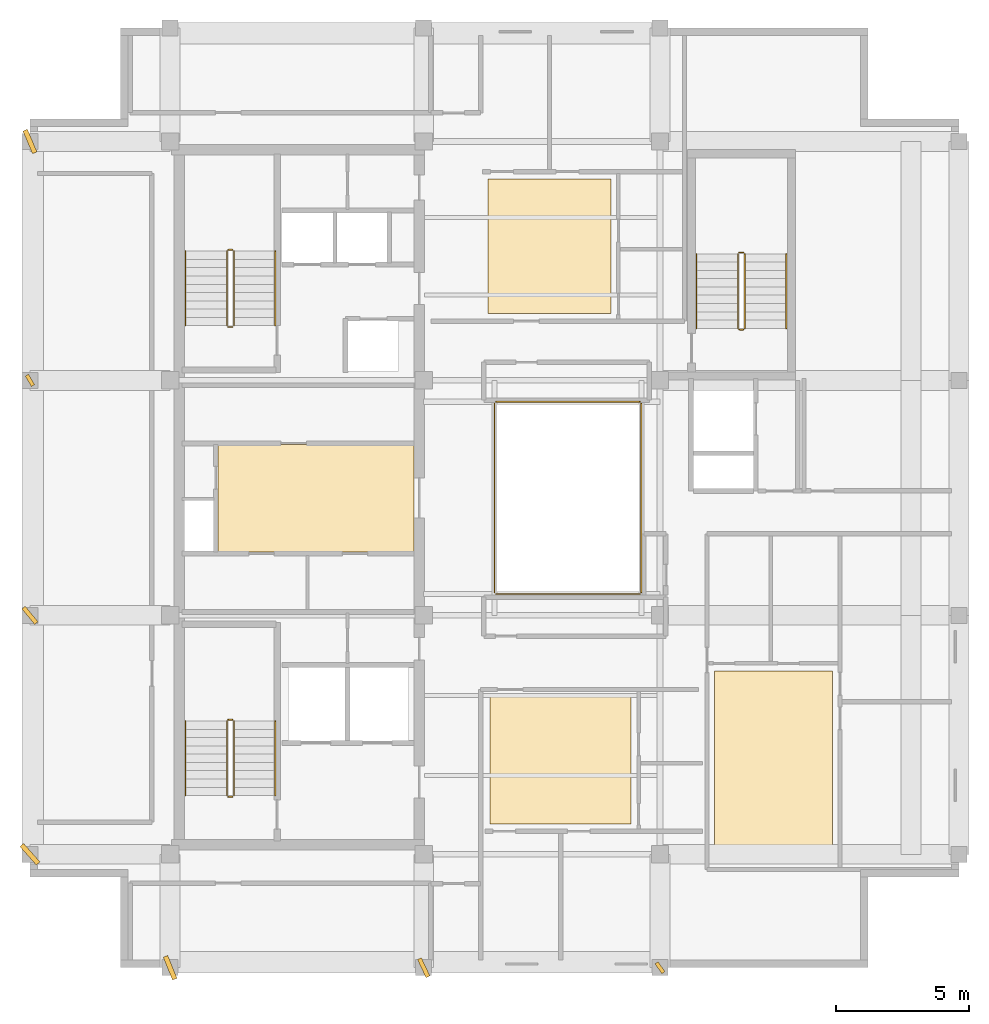
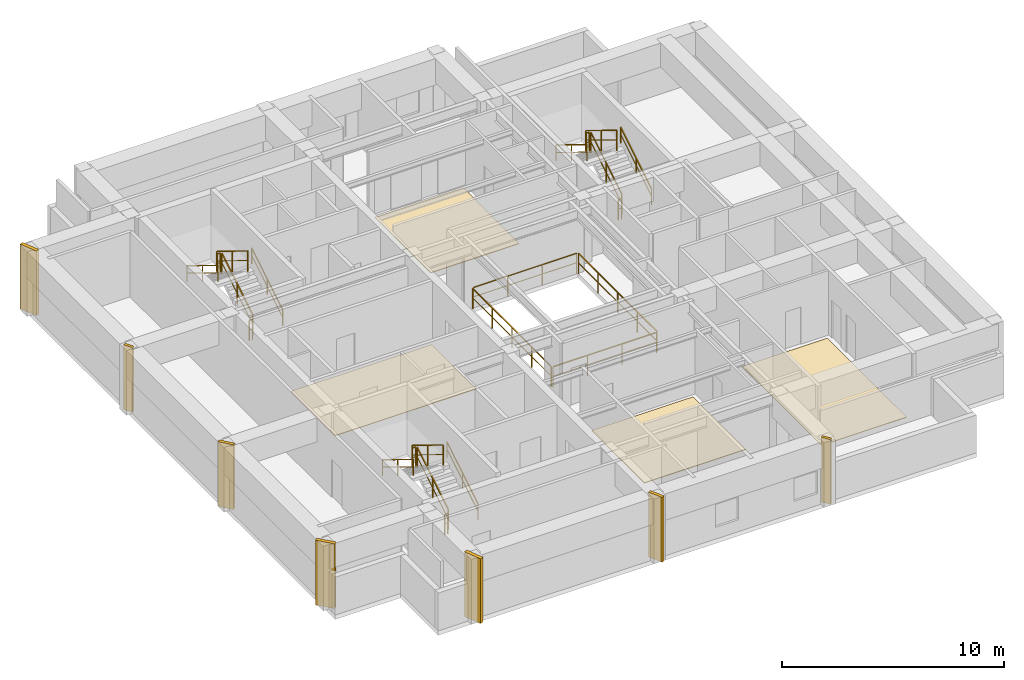
# One storey, part 6 of 6: 22 railings, 7 shading devices, 4 coverings.
"""IFC4 building model written with IfcOpenShell, lengths in metres."""

from ifc_helpers import new_model, si_unit, direction, frame, origin, origin_2d, place, context, subcontext, project, spatial, polyline, rectangle, outline, extrude, material, layer, layer_set, type_object, element, save


model = new_model("IFC4")

# Units and contexts
model_context = context("Model", 3, precision=1e-05, world=origin(), true_north=direction((0.0, 1.0)))
body_context = subcontext(model_context, "Body", "Model", "MODEL_VIEW")
ifc_project = project(units=[si_unit("LENGTHUNIT", "METRE"), si_unit("AREAUNIT", "SQUARE_METRE"), si_unit("VOLUMEUNIT", "CUBIC_METRE"), si_unit("PLANEANGLEUNIT", "RADIAN"), si_unit("MASSUNIT", "GRAM", prefix="KILO")], contexts=[model_context])

# Site, building, storey
site_placement = place(None, origin())
site = spatial("IfcSite", under=ifc_project, at=site_placement, CompositionType="ELEMENT")
building_placement = place(site_placement, origin())
building = spatial("IfcBuilding", under=site, at=building_placement, Name="Kundavana Baori Tower", CompositionType="ELEMENT")
storey_placement = place(building_placement, frame((0.0, 0.0, 331.5)))
storey = spatial("IfcBuildingStorey", under=building, at=storey_placement, Name="L82", CompositionType="ELEMENT", Elevation=331.5)

# Coverings
ifc_material_1 = material(Name="Honed Kota Stone and Terrazzo Flooring", Category="masonry")
ifc_layer_1 = layer(ifc_material_1, 0.0400390625, Name="COV-FLR-TERR-40")
ifc_layer_set_1 = layer_set([ifc_layer_1], Name="Honed Kota Stone and Terrazzo Flooring")
covering_type_1 = type_object("IfcCoveringType", Name="COV-FLR-TERR-40", PredefinedType="FLOORING", material=ifc_layer_set_1)
covering_1_placement = place(storey_placement, origin())
element("IfcCovering", 1, at=covering_1_placement, inside=storey, type_object=covering_type_1, Name="L82 Room Finished Stone Flooring 1", PredefinedType="FLOORING", context=body_context, shape_type="SweptSolid", body=[
    extrude(outline(polyline([(27.43994140625, 16.389892578125), (32.719970703125, 16.389892578125), (32.719970703125, 21.139892578125), (27.43994140625, 21.139892578125), (27.43994140625, 16.389892578125)])), origin(), (0.0, 0.0, 1.0), 0.0400390625),
])
covering_2_placement = place(storey_placement, origin())
element("IfcCovering", 2, at=covering_2_placement, inside=storey, type_object=covering_type_1, Name="L82 Room Finished Stone Flooring 2", PredefinedType="FLOORING", context=body_context, shape_type="SweptSolid", body=[
    extrude(outline(polyline([(27.360107421875, 35.5), (31.9599609375, 35.5), (31.9599609375, 40.5400390625), (27.360107421875, 40.5400390625), (27.360107421875, 35.5)])), origin(), (0.0, 0.0, 1.0), 0.0400390625),
])
ifc_material_2 = material(Name="Honed Kota Stone and Terrazzo Flooring", Category="masonry")
ifc_layer_2 = layer(ifc_material_2, 0.030029296875, Name="COV-INT-FLR")
ifc_layer_set_2 = layer_set([ifc_layer_2], Name="Honed Kota Stone and Terrazzo Flooring")
covering_type_2 = type_object("IfcCoveringType", Name="COV-INT-FLR", PredefinedType="FLOORING", material=ifc_layer_set_2)
covering_3_placement = place(storey_placement, origin())
element("IfcCovering", 3, at=covering_3_placement, inside=storey, type_object=covering_type_2, Name="L82 Room Finished Stone Flooring 3", PredefinedType="FLOORING", context=body_context, shape_type="SweptSolid", body=[
    extrude(outline(polyline([(35.840087890625, 14.9599609375), (40.260009765625, 14.9599609375), (40.260009765625, 22.1201171875), (35.840087890625, 22.1201171875), (35.840087890625, 14.9599609375)])), origin(), (0.0, 0.0, 1.0), 0.030029296875),
])
covering_4_placement = place(storey_placement, origin())
element("IfcCovering", 4, at=covering_4_placement, inside=storey, type_object=covering_type_2, Name="L82 Core Lift Lobby Kota Stone Flooring", PredefinedType="FLOORING", context=body_context, shape_type="SweptSolid", body=[
    extrude(outline(polyline([(17.25, 26.580078125), (24.580078125, 26.580078125), (24.580078125, 30.60009765625), (17.25, 30.60009765625), (17.25, 26.580078125)])), origin(), (0.0, 0.0, 1.0), 0.030029296875),
])

# Railings
ifc_material_3 = material(Name="Architectural Patinated Bronze Metalwork")
railing_type_1 = type_object("IfcRailingType", Name="RL-GRD-1150", PredefinedType="GUARDRAIL", material=ifc_material_3)
railing_1_placement = place(storey_placement, frame((17.840087890625, 17.449951171875, 0.18994140625)))
element("IfcRailing", 5, at=railing_1_placement, inside=storey, type_object=railing_type_1, Name="L82 ST1 stair guard 1", PredefinedType="GUARDRAIL", context=body_context, shape_type="SweptSolid", body=[
    extrude(rectangle(XDim=0.048095703125, YDim=0.048095703125, at=origin_2d()), frame((0.0, 0.0, 1.1259765625), z_axis=(0.0, 0.852609830418, 0.522548061975), x_axis=(-1.0, 0.0, 0.0)), (0.0, 0.0, 1.0), 3.2724609375),
    extrude(rectangle(XDim=0.03125, YDim=0.03125, at=origin_2d()), frame((0.0, 0.0, 0.597900390625), z_axis=(0.0, 0.852609830418, 0.522548061975), x_axis=(-1.0, 0.0, 0.0)), (0.0, 0.0, 1.0), 3.2724609375),
    extrude(rectangle(XDim=0.0419921875, YDim=0.0419921875, at=origin_2d()), origin(), (0.0, 0.0, 1.0), 1.101806640625),
    extrude(rectangle(XDim=0.0419921875, YDim=0.0419921875, at=origin_2d()), frame((0.0, 1.39501953125, 0.85498046875)), (0.0, 0.0, 1.0), 1.101806640625),
    extrude(rectangle(XDim=0.0419921875, YDim=0.0419921875, at=origin_2d()), frame((0.0, 2.7900390625, 1.7099609375)), (0.0, 0.0, 1.0), 1.101806640625),
])
railing_2_placement = place(storey_placement, frame((17.7900390625, 20.2900390625, 1.89990234375)))
element("IfcRailing", 6, at=railing_2_placement, inside=storey, type_object=railing_type_1, Name="L82 ST1 stair guard 2", PredefinedType="GUARDRAIL", context=body_context, shape_type="SweptSolid", body=[
    extrude(rectangle(XDim=0.048095703125, YDim=0.048095703125, at=origin_2d()), frame((0.0, 0.0, 1.1259765625), z_axis=(-1.0, 0.0, 0.0), x_axis=(0.0, -1.0, 0.0)), (0.0, 0.0, 1.0), 0.16015625),
    extrude(rectangle(XDim=0.03125, YDim=0.03125, at=origin_2d()), frame((0.0, 0.0, 0.597900390625), z_axis=(-1.0, 0.0, 0.0), x_axis=(0.0, -1.0, 0.0)), (0.0, 0.0, 1.0), 0.16015625),
    extrude(rectangle(XDim=0.0419921875, YDim=0.0419921875, at=origin_2d()), origin(), (0.0, 0.0, 1.0), 1.101806640625),
    extrude(rectangle(XDim=0.0419921875, YDim=0.0419921875, at=origin_2d()), frame((-0.16015625, 0.0, 0.0)), (0.0, 0.0, 1.0), 1.101806640625),
])
railing_3_placement = place(storey_placement, frame((17.580078125, 20.239990234375, 2.090087890625)))
element("IfcRailing", 7, at=railing_3_placement, inside=storey, type_object=railing_type_1, Name="L82 ST1 stair guard 3", PredefinedType="GUARDRAIL", context=body_context, shape_type="SweptSolid", body=[
    extrude(rectangle(XDim=0.048095703125, YDim=0.048095703125, at=origin_2d()), frame((0.0, 0.0, 1.1259765625), z_axis=(0.0, -0.852609830418, 0.522548061975), x_axis=(1.0, 0.0, 0.0)), (0.0, 0.0, 1.0), 3.2724609375),
    extrude(rectangle(XDim=0.03125, YDim=0.03125, at=origin_2d()), frame((0.0, 0.0, 0.597900390625), z_axis=(0.0, -0.852609830418, 0.522548061975), x_axis=(1.0, 0.0, 0.0)), (0.0, 0.0, 1.0), 3.2724609375),
    extrude(rectangle(XDim=0.0419921875, YDim=0.0419921875, at=origin_2d()), origin(), (0.0, 0.0, 1.0), 1.101806640625),
    extrude(rectangle(XDim=0.0419921875, YDim=0.0419921875, at=origin_2d()), frame((0.0, -1.39501953125, 0.85498046875)), (0.0, 0.0, 1.0), 1.101806640625),
    extrude(rectangle(XDim=0.0419921875, YDim=0.0419921875, at=origin_2d()), frame((0.0, -2.7900390625, 1.7099609375)), (0.0, 0.0, 1.0), 1.101806640625),
])
railing_4_placement = place(storey_placement, frame((17.7900390625, 17.39990234375, 0.0)))
element("IfcRailing", 8, at=railing_4_placement, inside=storey, type_object=railing_type_1, Name="L82 ST1 stair guard 4", PredefinedType="GUARDRAIL", context=body_context, shape_type="SweptSolid", body=[
    extrude(rectangle(XDim=0.048095703125, YDim=0.048095703125, at=origin_2d()), frame((0.0, 0.0, 1.1259765625), z_axis=(-1.0, 0.0, 0.0), x_axis=(0.0, -1.0, 0.0)), (0.0, 0.0, 1.0), 0.16015625),
    extrude(rectangle(XDim=0.03125, YDim=0.03125, at=origin_2d()), frame((0.0, 0.0, 0.597900390625), z_axis=(-1.0, 0.0, 0.0), x_axis=(0.0, -1.0, 0.0)), (0.0, 0.0, 1.0), 0.16015625),
    extrude(rectangle(XDim=0.0419921875, YDim=0.0419921875, at=origin_2d()), origin(), (0.0, 0.0, 1.0), 1.101806640625),
    extrude(rectangle(XDim=0.0419921875, YDim=0.0419921875, at=origin_2d()), frame((-0.16015625, 0.0, 0.0)), (0.0, 0.0, 1.0), 1.101806640625),
])
railing_5_placement = place(storey_placement, frame((17.840087890625, 35.050048828125, 0.18994140625)))
element("IfcRailing", 9, at=railing_5_placement, inside=storey, type_object=railing_type_1, Name="L82 ST2 stair guard 1", PredefinedType="GUARDRAIL", context=body_context, shape_type="SweptSolid", body=[
    extrude(rectangle(XDim=0.048095703125, YDim=0.048095703125, at=origin_2d()), frame((0.0, 0.0, 1.1259765625), z_axis=(0.0, 0.852609830418, 0.522548061975), x_axis=(-1.0, 0.0, 0.0)), (0.0, 0.0, 1.0), 3.2724609375),
    extrude(rectangle(XDim=0.03125, YDim=0.03125, at=origin_2d()), frame((0.0, 0.0, 0.597900390625), z_axis=(0.0, 0.852609830418, 0.522548061975), x_axis=(-1.0, 0.0, 0.0)), (0.0, 0.0, 1.0), 3.2724609375),
    extrude(rectangle(XDim=0.0419921875, YDim=0.0419921875, at=origin_2d()), origin(), (0.0, 0.0, 1.0), 1.101806640625),
    extrude(rectangle(XDim=0.0419921875, YDim=0.0419921875, at=origin_2d()), frame((0.0, 1.39501953125, 0.85498046875)), (0.0, 0.0, 1.0), 1.101806640625),
    extrude(rectangle(XDim=0.0419921875, YDim=0.0419921875, at=origin_2d()), frame((0.0, 2.7900390625, 1.7099609375)), (0.0, 0.0, 1.0), 1.101806640625),
])
railing_6_placement = place(storey_placement, frame((17.7900390625, 37.889892578125, 1.89990234375)))
element("IfcRailing", 10, at=railing_6_placement, inside=storey, type_object=railing_type_1, Name="L82 ST2 stair guard 2", PredefinedType="GUARDRAIL", context=body_context, shape_type="SweptSolid", body=[
    extrude(rectangle(XDim=0.048095703125, YDim=0.048095703125, at=origin_2d()), frame((0.0, 0.0, 1.1259765625), z_axis=(-1.0, 0.0, 0.0), x_axis=(0.0, -1.0, 0.0)), (0.0, 0.0, 1.0), 0.16015625),
    extrude(rectangle(XDim=0.03125, YDim=0.03125, at=origin_2d()), frame((0.0, 0.0, 0.597900390625), z_axis=(-1.0, 0.0, 0.0), x_axis=(0.0, -1.0, 0.0)), (0.0, 0.0, 1.0), 0.16015625),
    extrude(rectangle(XDim=0.0419921875, YDim=0.0419921875, at=origin_2d()), origin(), (0.0, 0.0, 1.0), 1.101806640625),
    extrude(rectangle(XDim=0.0419921875, YDim=0.0419921875, at=origin_2d()), frame((-0.16015625, 0.0, 0.0)), (0.0, 0.0, 1.0), 1.101806640625),
])
railing_7_placement = place(storey_placement, frame((17.580078125, 37.840087890625, 2.090087890625)))
element("IfcRailing", 11, at=railing_7_placement, inside=storey, type_object=railing_type_1, Name="L82 ST2 stair guard 3", PredefinedType="GUARDRAIL", context=body_context, shape_type="SweptSolid", body=[
    extrude(rectangle(XDim=0.048095703125, YDim=0.048095703125, at=origin_2d()), frame((0.0, 0.0, 1.1259765625), z_axis=(0.0, -0.852609830418, 0.522548061975), x_axis=(1.0, 0.0, 0.0)), (0.0, 0.0, 1.0), 3.2724609375),
    extrude(rectangle(XDim=0.03125, YDim=0.03125, at=origin_2d()), frame((0.0, 0.0, 0.597900390625), z_axis=(0.0, -0.852609830418, 0.522548061975), x_axis=(1.0, 0.0, 0.0)), (0.0, 0.0, 1.0), 3.2724609375),
    extrude(rectangle(XDim=0.0419921875, YDim=0.0419921875, at=origin_2d()), origin(), (0.0, 0.0, 1.0), 1.101806640625),
    extrude(rectangle(XDim=0.0419921875, YDim=0.0419921875, at=origin_2d()), frame((0.0, -1.39501953125, 0.85498046875)), (0.0, 0.0, 1.0), 1.101806640625),
    extrude(rectangle(XDim=0.0419921875, YDim=0.0419921875, at=origin_2d()), frame((0.0, -2.7900390625, 1.7099609375)), (0.0, 0.0, 1.0), 1.101806640625),
])
railing_8_placement = place(storey_placement, frame((17.7900390625, 35.0, 0.0)))
element("IfcRailing", 12, at=railing_8_placement, inside=storey, type_object=railing_type_1, Name="L82 ST2 stair guard 4", PredefinedType="GUARDRAIL", context=body_context, shape_type="SweptSolid", body=[
    extrude(rectangle(XDim=0.048095703125, YDim=0.048095703125, at=origin_2d()), frame((0.0, 0.0, 1.1259765625), z_axis=(-1.0, 0.0, 0.0), x_axis=(0.0, -1.0, 0.0)), (0.0, 0.0, 1.0), 0.16015625),
    extrude(rectangle(XDim=0.03125, YDim=0.03125, at=origin_2d()), frame((0.0, 0.0, 0.597900390625), z_axis=(-1.0, 0.0, 0.0), x_axis=(0.0, -1.0, 0.0)), (0.0, 0.0, 1.0), 0.16015625),
    extrude(rectangle(XDim=0.0419921875, YDim=0.0419921875, at=origin_2d()), origin(), (0.0, 0.0, 1.0), 1.101806640625),
    extrude(rectangle(XDim=0.0419921875, YDim=0.0419921875, at=origin_2d()), frame((-0.16015625, 0.0, 0.0)), (0.0, 0.0, 1.0), 1.101806640625),
])
railing_9_placement = place(storey_placement, frame((36.97998046875, 34.949951171875, 0.18994140625)))
element("IfcRailing", 13, at=railing_9_placement, inside=storey, type_object=railing_type_1, Name="L82 ST3 stair guard 1", PredefinedType="GUARDRAIL", context=body_context, shape_type="SweptSolid", body=[
    extrude(rectangle(XDim=0.048095703125, YDim=0.048095703125, at=origin_2d()), frame((0.0, 0.0, 1.1259765625), z_axis=(0.0, 0.852609830418, 0.522548061975), x_axis=(-1.0, 0.0, 0.0)), (0.0, 0.0, 1.0), 3.2724609375),
    extrude(rectangle(XDim=0.03125, YDim=0.03125, at=origin_2d()), frame((0.0, 0.0, 0.597900390625), z_axis=(0.0, 0.852609830418, 0.522548061975), x_axis=(-1.0, 0.0, 0.0)), (0.0, 0.0, 1.0), 3.2724609375),
    extrude(rectangle(XDim=0.0419921875, YDim=0.0419921875, at=origin_2d()), origin(), (0.0, 0.0, 1.0), 1.101806640625),
    extrude(rectangle(XDim=0.0419921875, YDim=0.0419921875, at=origin_2d()), frame((0.0, 1.39501953125, 0.85498046875)), (0.0, 0.0, 1.0), 1.101806640625),
    extrude(rectangle(XDim=0.0419921875, YDim=0.0419921875, at=origin_2d()), frame((0.0, 2.7900390625, 1.7099609375)), (0.0, 0.0, 1.0), 1.101806640625),
])
railing_10_placement = place(storey_placement, frame((36.929931640625, 37.7900390625, 1.89990234375)))
element("IfcRailing", 14, at=railing_10_placement, inside=storey, type_object=railing_type_1, Name="L82 ST3 stair guard 2", PredefinedType="GUARDRAIL", context=body_context, shape_type="SweptSolid", body=[
    extrude(rectangle(XDim=0.048095703125, YDim=0.048095703125, at=origin_2d()), frame((0.0, 0.0, 1.1259765625), z_axis=(-1.0, 0.0, 0.0), x_axis=(0.0, -1.0, 0.0)), (0.0, 0.0, 1.0), 0.159912109375),
    extrude(rectangle(XDim=0.03125, YDim=0.03125, at=origin_2d()), frame((0.0, 0.0, 0.597900390625), z_axis=(-1.0, 0.0, 0.0), x_axis=(0.0, -1.0, 0.0)), (0.0, 0.0, 1.0), 0.159912109375),
    extrude(rectangle(XDim=0.0419921875, YDim=0.0419921875, at=origin_2d()), origin(), (0.0, 0.0, 1.0), 1.101806640625),
    extrude(rectangle(XDim=0.0419921875, YDim=0.0419921875, at=origin_2d()), frame((-0.159912109375, 0.0, 0.0)), (0.0, 0.0, 1.0), 1.101806640625),
])
railing_11_placement = place(storey_placement, frame((36.719970703125, 37.739990234375, 2.090087890625)))
element("IfcRailing", 15, at=railing_11_placement, inside=storey, type_object=railing_type_1, Name="L82 ST3 stair guard 3", PredefinedType="GUARDRAIL", context=body_context, shape_type="SweptSolid", body=[
    extrude(rectangle(XDim=0.048095703125, YDim=0.048095703125, at=origin_2d()), frame((0.0, 0.0, 1.1259765625), z_axis=(0.0, -0.852609830418, 0.522548061975), x_axis=(1.0, 0.0, 0.0)), (0.0, 0.0, 1.0), 3.2724609375),
    extrude(rectangle(XDim=0.03125, YDim=0.03125, at=origin_2d()), frame((0.0, 0.0, 0.597900390625), z_axis=(0.0, -0.852609830418, 0.522548061975), x_axis=(1.0, 0.0, 0.0)), (0.0, 0.0, 1.0), 3.2724609375),
    extrude(rectangle(XDim=0.0419921875, YDim=0.0419921875, at=origin_2d()), origin(), (0.0, 0.0, 1.0), 1.101806640625),
    extrude(rectangle(XDim=0.0419921875, YDim=0.0419921875, at=origin_2d()), frame((0.0, -1.39501953125, 0.85498046875)), (0.0, 0.0, 1.0), 1.101806640625),
    extrude(rectangle(XDim=0.0419921875, YDim=0.0419921875, at=origin_2d()), frame((0.0, -2.7900390625, 1.7099609375)), (0.0, 0.0, 1.0), 1.101806640625),
])
railing_12_placement = place(storey_placement, frame((36.929931640625, 34.89990234375, 0.0)))
element("IfcRailing", 16, at=railing_12_placement, inside=storey, type_object=railing_type_1, Name="L82 ST3 stair guard 4", PredefinedType="GUARDRAIL", context=body_context, shape_type="SweptSolid", body=[
    extrude(rectangle(XDim=0.048095703125, YDim=0.048095703125, at=origin_2d()), frame((0.0, 0.0, 1.1259765625), z_axis=(-1.0, 0.0, 0.0), x_axis=(0.0, -1.0, 0.0)), (0.0, 0.0, 1.0), 0.159912109375),
    extrude(rectangle(XDim=0.03125, YDim=0.03125, at=origin_2d()), frame((0.0, 0.0, 0.597900390625), z_axis=(-1.0, 0.0, 0.0), x_axis=(0.0, -1.0, 0.0)), (0.0, 0.0, 1.0), 0.159912109375),
    extrude(rectangle(XDim=0.0419921875, YDim=0.0419921875, at=origin_2d()), origin(), (0.0, 0.0, 1.0), 1.101806640625),
    extrude(rectangle(XDim=0.0419921875, YDim=0.0419921875, at=origin_2d()), frame((-0.159912109375, 0.0, 0.0)), (0.0, 0.0, 1.0), 1.101806640625),
])
railing_13_placement = place(storey_placement, frame((27.659912109375, 25.0, 0.0)))
element("IfcRailing", 17, at=railing_13_placement, inside=storey, type_object=railing_type_1, Name="L82 Atrium Void Perimeter Guardrail S", PredefinedType="GUARDRAIL", context=body_context, shape_type="SweptSolid", body=[
    extrude(rectangle(XDim=0.048095703125, YDim=0.048095703125, at=origin_2d()), frame((0.0, 0.0, 1.1259765625), z_axis=(1.0, 0.0, 0.0), x_axis=(0.0, 1.0, 0.0)), (0.0, 0.0, 1.0), 5.380126953125),
    extrude(rectangle(XDim=0.03125, YDim=0.03125, at=origin_2d()), frame((0.0, 0.0, 0.597900390625), z_axis=(1.0, 0.0, 0.0), x_axis=(0.0, 1.0, 0.0)), (0.0, 0.0, 1.0), 5.380126953125),
    extrude(rectangle(XDim=0.0419921875, YDim=0.0419921875, at=origin_2d()), origin(), (0.0, 0.0, 1.0), 1.101806640625),
    extrude(rectangle(XDim=0.0419921875, YDim=0.0419921875, at=origin_2d()), frame((1.79345703125, 0.0, 0.0)), (0.0, 0.0, 1.0), 1.101806640625),
    extrude(rectangle(XDim=0.0419921875, YDim=0.0419921875, at=origin_2d()), frame((3.586669921875, 0.0, 0.0)), (0.0, 0.0, 1.0), 1.101806640625),
    extrude(rectangle(XDim=0.0419921875, YDim=0.0419921875, at=origin_2d()), frame((5.380126953125, 0.0, 0.0)), (0.0, 0.0, 1.0), 1.101806640625),
])
railing_14_placement = place(storey_placement, frame((33.10009765625, 25.06005859375, 0.0)))
element("IfcRailing", 18, at=railing_14_placement, inside=storey, type_object=railing_type_1, Name="L82 Atrium Void Perimeter Guardrail E", PredefinedType="GUARDRAIL", context=body_context, shape_type="SweptSolid", body=[
    extrude(rectangle(XDim=0.048095703125, YDim=0.048095703125, at=origin_2d()), frame((0.0, 0.0, 1.1259765625), z_axis=(0.0, 1.0, 0.0), x_axis=(-1.0, 0.0, 0.0)), (0.0, 0.0, 1.0), 7.079833984375),
    extrude(rectangle(XDim=0.03125, YDim=0.03125, at=origin_2d()), frame((0.0, 0.0, 0.597900390625), z_axis=(0.0, 1.0, 0.0), x_axis=(-1.0, 0.0, 0.0)), (0.0, 0.0, 1.0), 7.079833984375),
    extrude(rectangle(XDim=0.0419921875, YDim=0.0419921875, at=origin_2d()), origin(), (0.0, 0.0, 1.0), 1.101806640625),
    extrude(rectangle(XDim=0.0419921875, YDim=0.0419921875, at=origin_2d()), frame((0.0, 1.77001953125, 0.0)), (0.0, 0.0, 1.0), 1.101806640625),
    extrude(rectangle(XDim=0.0419921875, YDim=0.0419921875, at=origin_2d()), frame((0.0, 3.5400390625, 0.0)), (0.0, 0.0, 1.0), 1.101806640625),
    extrude(rectangle(XDim=0.0419921875, YDim=0.0419921875, at=origin_2d()), frame((0.0, 5.309814453125, 0.0)), (0.0, 0.0, 1.0), 1.101806640625),
    extrude(rectangle(XDim=0.0419921875, YDim=0.0419921875, at=origin_2d()), frame((0.0, 7.079833984375, 0.0)), (0.0, 0.0, 1.0), 1.101806640625),
])
railing_15_placement = place(storey_placement, frame((33.0400390625, 32.199951171875, 0.0)))
element("IfcRailing", 19, at=railing_15_placement, inside=storey, type_object=railing_type_1, Name="L82 Atrium Void Perimeter Guardrail N", PredefinedType="GUARDRAIL", context=body_context, shape_type="SweptSolid", body=[
    extrude(rectangle(XDim=0.048095703125, YDim=0.048095703125, at=origin_2d()), frame((0.0, 0.0, 1.1259765625), z_axis=(-1.0, 0.0, 0.0), x_axis=(0.0, -1.0, 0.0)), (0.0, 0.0, 1.0), 5.380126953125),
    extrude(rectangle(XDim=0.03125, YDim=0.03125, at=origin_2d()), frame((0.0, 0.0, 0.597900390625), z_axis=(-1.0, 0.0, 0.0), x_axis=(0.0, -1.0, 0.0)), (0.0, 0.0, 1.0), 5.380126953125),
    extrude(rectangle(XDim=0.0419921875, YDim=0.0419921875, at=origin_2d()), origin(), (0.0, 0.0, 1.0), 1.101806640625),
    extrude(rectangle(XDim=0.0419921875, YDim=0.0419921875, at=origin_2d()), frame((-1.79345703125, 0.0, 0.0)), (0.0, 0.0, 1.0), 1.101806640625),
    extrude(rectangle(XDim=0.0419921875, YDim=0.0419921875, at=origin_2d()), frame((-3.586669921875, 0.0, 0.0)), (0.0, 0.0, 1.0), 1.101806640625),
    extrude(rectangle(XDim=0.0419921875, YDim=0.0419921875, at=origin_2d()), frame((-5.380126953125, 0.0, 0.0)), (0.0, 0.0, 1.0), 1.101806640625),
])
railing_16_placement = place(storey_placement, frame((27.60009765625, 32.139892578125, 0.0)))
element("IfcRailing", 20, at=railing_16_placement, inside=storey, type_object=railing_type_1, Name="L82 Atrium Void Perimeter Guardrail W", PredefinedType="GUARDRAIL", context=body_context, shape_type="SweptSolid", body=[
    extrude(rectangle(XDim=0.048095703125, YDim=0.048095703125, at=origin_2d()), frame((0.0, 0.0, 1.1259765625), z_axis=(0.0, -1.0, 0.0), x_axis=(1.0, 0.0, 0.0)), (0.0, 0.0, 1.0), 7.079833984375),
    extrude(rectangle(XDim=0.03125, YDim=0.03125, at=origin_2d()), frame((0.0, 0.0, 0.597900390625), z_axis=(0.0, -1.0, 0.0), x_axis=(1.0, 0.0, 0.0)), (0.0, 0.0, 1.0), 7.079833984375),
    extrude(rectangle(XDim=0.0419921875, YDim=0.0419921875, at=origin_2d()), origin(), (0.0, 0.0, 1.0), 1.101806640625),
    extrude(rectangle(XDim=0.0419921875, YDim=0.0419921875, at=origin_2d()), frame((0.0, -1.77001953125, 0.0)), (0.0, 0.0, 1.0), 1.101806640625),
    extrude(rectangle(XDim=0.0419921875, YDim=0.0419921875, at=origin_2d()), frame((0.0, -3.5400390625, 0.0)), (0.0, 0.0, 1.0), 1.101806640625),
    extrude(rectangle(XDim=0.0419921875, YDim=0.0419921875, at=origin_2d()), frame((0.0, -5.309814453125, 0.0)), (0.0, 0.0, 1.0), 1.101806640625),
    extrude(rectangle(XDim=0.0419921875, YDim=0.0419921875, at=origin_2d()), frame((0.0, -7.079833984375, 0.0)), (0.0, 0.0, 1.0), 1.101806640625),
])
ifc_material_4 = material(Name="Architectural Patinated Bronze Metalwork")
railing_type_2 = type_object("IfcRailingType", Name="RL-HND-920", PredefinedType="HANDRAIL", material=ifc_material_4)
railing_17_placement = place(storey_placement, frame((19.389892578125, 17.449951171875, 0.18994140625)))
element("IfcRailing", 21, at=railing_17_placement, inside=storey, type_object=railing_type_2, Name="L82 ST1 stair handrail 1", PredefinedType="HANDRAIL", context=body_context, shape_type="SweptSolid", body=[
    extrude(rectangle(XDim=0.048095703125, YDim=0.048095703125, at=origin_2d()), frame((0.0, 0.0, 0.8759765625), z_axis=(0.0, 0.852609830418, 0.522548061975), x_axis=(-1.0, 0.0, 0.0)), (0.0, 0.0, 1.0), 3.2724609375),
    extrude(rectangle(XDim=0.03125, YDim=0.03125, at=origin_2d()), frame((0.0, 0.0, 0.468017578125), z_axis=(0.0, 0.852609830418, 0.522548061975), x_axis=(-1.0, 0.0, 0.0)), (0.0, 0.0, 1.0), 3.2724609375),
    extrude(rectangle(XDim=0.0419921875, YDim=0.0419921875, at=origin_2d()), origin(), (0.0, 0.0, 1.0), 0.851806640625),
    extrude(rectangle(XDim=0.0419921875, YDim=0.0419921875, at=origin_2d()), frame((0.0, 1.39501953125, 0.85498046875)), (0.0, 0.0, 1.0), 0.851806640625),
    extrude(rectangle(XDim=0.0419921875, YDim=0.0419921875, at=origin_2d()), frame((0.0, 2.7900390625, 1.7099609375)), (0.0, 0.0, 1.0), 0.851806640625),
])
railing_18_placement = place(storey_placement, frame((16.030029296875, 20.239990234375, 2.090087890625)))
element("IfcRailing", 22, at=railing_18_placement, inside=storey, type_object=railing_type_2, Name="L82 ST1 stair handrail 2", PredefinedType="HANDRAIL", context=body_context, shape_type="SweptSolid", body=[
    extrude(rectangle(XDim=0.048095703125, YDim=0.048095703125, at=origin_2d()), frame((0.0, 0.0, 0.8759765625), z_axis=(0.0, -0.852609830418, 0.522548061975), x_axis=(1.0, 0.0, 0.0)), (0.0, 0.0, 1.0), 3.2724609375),
    extrude(rectangle(XDim=0.03125, YDim=0.03125, at=origin_2d()), frame((0.0, 0.0, 0.468017578125), z_axis=(0.0, -0.852609830418, 0.522548061975), x_axis=(1.0, 0.0, 0.0)), (0.0, 0.0, 1.0), 3.2724609375),
    extrude(rectangle(XDim=0.0419921875, YDim=0.0419921875, at=origin_2d()), origin(), (0.0, 0.0, 1.0), 0.851806640625),
    extrude(rectangle(XDim=0.0419921875, YDim=0.0419921875, at=origin_2d()), frame((0.0, -1.39501953125, 0.85498046875)), (0.0, 0.0, 1.0), 0.851806640625),
    extrude(rectangle(XDim=0.0419921875, YDim=0.0419921875, at=origin_2d()), frame((0.0, -2.7900390625, 1.7099609375)), (0.0, 0.0, 1.0), 0.851806640625),
])
railing_19_placement = place(storey_placement, frame((19.389892578125, 35.050048828125, 0.18994140625)))
element("IfcRailing", 23, at=railing_19_placement, inside=storey, type_object=railing_type_2, Name="L82 ST2 stair handrail 1", PredefinedType="HANDRAIL", context=body_context, shape_type="SweptSolid", body=[
    extrude(rectangle(XDim=0.048095703125, YDim=0.048095703125, at=origin_2d()), frame((0.0, 0.0, 0.8759765625), z_axis=(0.0, 0.852609830418, 0.522548061975), x_axis=(-1.0, 0.0, 0.0)), (0.0, 0.0, 1.0), 3.2724609375),
    extrude(rectangle(XDim=0.03125, YDim=0.03125, at=origin_2d()), frame((0.0, 0.0, 0.468017578125), z_axis=(0.0, 0.852609830418, 0.522548061975), x_axis=(-1.0, 0.0, 0.0)), (0.0, 0.0, 1.0), 3.2724609375),
    extrude(rectangle(XDim=0.0419921875, YDim=0.0419921875, at=origin_2d()), origin(), (0.0, 0.0, 1.0), 0.851806640625),
    extrude(rectangle(XDim=0.0419921875, YDim=0.0419921875, at=origin_2d()), frame((0.0, 1.39501953125, 0.85498046875)), (0.0, 0.0, 1.0), 0.851806640625),
    extrude(rectangle(XDim=0.0419921875, YDim=0.0419921875, at=origin_2d()), frame((0.0, 2.7900390625, 1.7099609375)), (0.0, 0.0, 1.0), 0.851806640625),
])
railing_20_placement = place(storey_placement, frame((16.030029296875, 37.840087890625, 2.090087890625)))
element("IfcRailing", 24, at=railing_20_placement, inside=storey, type_object=railing_type_2, Name="L82 ST2 stair handrail 2", PredefinedType="HANDRAIL", context=body_context, shape_type="SweptSolid", body=[
    extrude(rectangle(XDim=0.048095703125, YDim=0.048095703125, at=origin_2d()), frame((0.0, 0.0, 0.8759765625), z_axis=(0.0, -0.852609830418, 0.522548061975), x_axis=(1.0, 0.0, 0.0)), (0.0, 0.0, 1.0), 3.2724609375),
    extrude(rectangle(XDim=0.03125, YDim=0.03125, at=origin_2d()), frame((0.0, 0.0, 0.468017578125), z_axis=(0.0, -0.852609830418, 0.522548061975), x_axis=(1.0, 0.0, 0.0)), (0.0, 0.0, 1.0), 3.2724609375),
    extrude(rectangle(XDim=0.0419921875, YDim=0.0419921875, at=origin_2d()), origin(), (0.0, 0.0, 1.0), 0.851806640625),
    extrude(rectangle(XDim=0.0419921875, YDim=0.0419921875, at=origin_2d()), frame((0.0, -1.39501953125, 0.85498046875)), (0.0, 0.0, 1.0), 0.851806640625),
    extrude(rectangle(XDim=0.0419921875, YDim=0.0419921875, at=origin_2d()), frame((0.0, -2.7900390625, 1.7099609375)), (0.0, 0.0, 1.0), 0.851806640625),
])
railing_21_placement = place(storey_placement, frame((38.530029296875, 34.949951171875, 0.18994140625)))
element("IfcRailing", 25, at=railing_21_placement, inside=storey, type_object=railing_type_2, Name="L82 ST3 stair handrail 1", PredefinedType="HANDRAIL", context=body_context, shape_type="SweptSolid", body=[
    extrude(rectangle(XDim=0.048095703125, YDim=0.048095703125, at=origin_2d()), frame((0.0, 0.0, 0.8759765625), z_axis=(0.0, 0.852609830418, 0.522548061975), x_axis=(-1.0, 0.0, 0.0)), (0.0, 0.0, 1.0), 3.2724609375),
    extrude(rectangle(XDim=0.03125, YDim=0.03125, at=origin_2d()), frame((0.0, 0.0, 0.468017578125), z_axis=(0.0, 0.852609830418, 0.522548061975), x_axis=(-1.0, 0.0, 0.0)), (0.0, 0.0, 1.0), 3.2724609375),
    extrude(rectangle(XDim=0.0419921875, YDim=0.0419921875, at=origin_2d()), origin(), (0.0, 0.0, 1.0), 0.851806640625),
    extrude(rectangle(XDim=0.0419921875, YDim=0.0419921875, at=origin_2d()), frame((0.0, 1.39501953125, 0.85498046875)), (0.0, 0.0, 1.0), 0.851806640625),
    extrude(rectangle(XDim=0.0419921875, YDim=0.0419921875, at=origin_2d()), frame((0.0, 2.7900390625, 1.7099609375)), (0.0, 0.0, 1.0), 0.851806640625),
])
railing_22_placement = place(storey_placement, frame((35.169921875, 37.739990234375, 2.090087890625)))
element("IfcRailing", 26, at=railing_22_placement, inside=storey, type_object=railing_type_2, Name="L82 ST3 stair handrail 2", PredefinedType="HANDRAIL", context=body_context, shape_type="SweptSolid", body=[
    extrude(rectangle(XDim=0.048095703125, YDim=0.048095703125, at=origin_2d()), frame((0.0, 0.0, 0.8759765625), z_axis=(0.0, -0.852609830418, 0.522548061975), x_axis=(1.0, 0.0, 0.0)), (0.0, 0.0, 1.0), 3.2724609375),
    extrude(rectangle(XDim=0.03125, YDim=0.03125, at=origin_2d()), frame((0.0, 0.0, 0.468017578125), z_axis=(0.0, -0.852609830418, 0.522548061975), x_axis=(1.0, 0.0, 0.0)), (0.0, 0.0, 1.0), 3.2724609375),
    extrude(rectangle(XDim=0.0419921875, YDim=0.0419921875, at=origin_2d()), origin(), (0.0, 0.0, 1.0), 0.851806640625),
    extrude(rectangle(XDim=0.0419921875, YDim=0.0419921875, at=origin_2d()), frame((0.0, -1.39501953125, 0.85498046875)), (0.0, 0.0, 1.0), 0.851806640625),
    extrude(rectangle(XDim=0.0419921875, YDim=0.0419921875, at=origin_2d()), frame((0.0, -2.7900390625, 1.7099609375)), (0.0, 0.0, 1.0), 0.851806640625),
])

# Shading devices
ifc_material_5 = material(Name="Red-Buff Dholpur Sandstone Cladding on Concrete C40/50", Category="masonry")
shading_device_type_1 = type_object("IfcShadingDeviceType", Name="SHD-FIN-750", PredefinedType="JALOUSIE", material=ifc_material_5)
for number, where, z_axis, x_axis, name in (
    (27, (24.949951171875, 11.0, 0.0), (0.0, 0.0, 1.0), (0.903035619536, 0.429565675827, 0.0), "L82 Sweeping Dholpur Sandstone Facade Fin 2"),
    (28, (10.199951171875, 24.199951171875, 0.0), (0.0, 0.0, 1.0), (0.770958060864, 0.636885914735, 0.0), "L82 Sweeping Dholpur Sandstone Facade Fin 5"),
):
    element("IfcShadingDevice", number, at=place(storey_placement, frame(where, z_axis=z_axis, x_axis=x_axis)), inside=storey, type_object=shading_device_type_1, Name=name, PredefinedType="JALOUSIE", context=body_context, shape_type="SweptSolid", body=[
        extrude(rectangle(XDim=0.159912109375, YDim=0.75, at=origin_2d()), origin(), (0.0, 0.0, 1.0), 3.56005859375),
    ])
ifc_material_6 = material(Name="Red-Buff Dholpur Sandstone Cladding on Concrete C40/50", Category="masonry")
shading_device_type_2 = type_object("IfcShadingDeviceType", Name="SHD-FIN-920", PredefinedType="JALOUSIE", material=ifc_material_6)
for number, where, z_axis, x_axis, name in (
    (29, (15.449951171875, 11.0, 0.0), (0.0, 0.0, 1.0), (0.926462953239, 0.376385967161, 0.0), "L82 Sweeping Dholpur Sandstone Facade Fin 1"),
    (30, (10.199951171875, 15.25, 0.0), (0.0, 0.0, 1.0), (0.747913956092, 0.663795687153, 0.0), "L82 Sweeping Dholpur Sandstone Facade Fin 4"),
    (31, (10.199951171875, 41.949951171875, 0.0), (0.0, 0.0, 1.0), (0.921185405566, 0.38912395014, 0.0), "L82 Sweeping Dholpur Sandstone Facade Fin 7"),
):
    element("IfcShadingDevice", number, at=place(storey_placement, frame(where, z_axis=z_axis, x_axis=x_axis)), inside=storey, type_object=shading_device_type_2, Name=name, PredefinedType="JALOUSIE", context=body_context, shape_type="SweptSolid", body=[
        extrude(rectangle(XDim=0.179931640625, YDim=0.919921875, at=origin_2d()), origin(), (0.0, 0.0, 1.0), 3.56005859375),
    ])
ifc_material_7 = material(Name="Architectural Patinated Bronze Metalwork")
shading_device_type_3 = type_object("IfcShadingDeviceType", Name="SHD-LOUV-450", PredefinedType="SHUTTER", material=ifc_material_7)
for number, where, z_axis, x_axis, name in (
    (32, (33.800048828125, 11.0, 0.0), (0.0, 0.0, 1.0), (0.821149209134, 0.570713567684, 0.0), "L82 Sweeping Dholpur Sandstone Facade Fin 3"),
    (33, (10.199951171875, 33.0, 0.0), (0.0, 0.0, 1.0), (0.860919663536, 0.508740929096, 0.0), "L82 Sweeping Dholpur Sandstone Facade Fin 6"),
):
    element("IfcShadingDevice", number, at=place(storey_placement, frame(where, z_axis=z_axis, x_axis=x_axis)), inside=storey, type_object=shading_device_type_3, Name=name, PredefinedType="SHUTTER", context=body_context, shape_type="SweptSolid", body=[
        extrude(rectangle(XDim=0.139892578125, YDim=0.449951171875, at=origin_2d()), origin(), (0.0, 0.0, 1.0), 3.56005859375),
    ])

save(model, "model.ifc")
